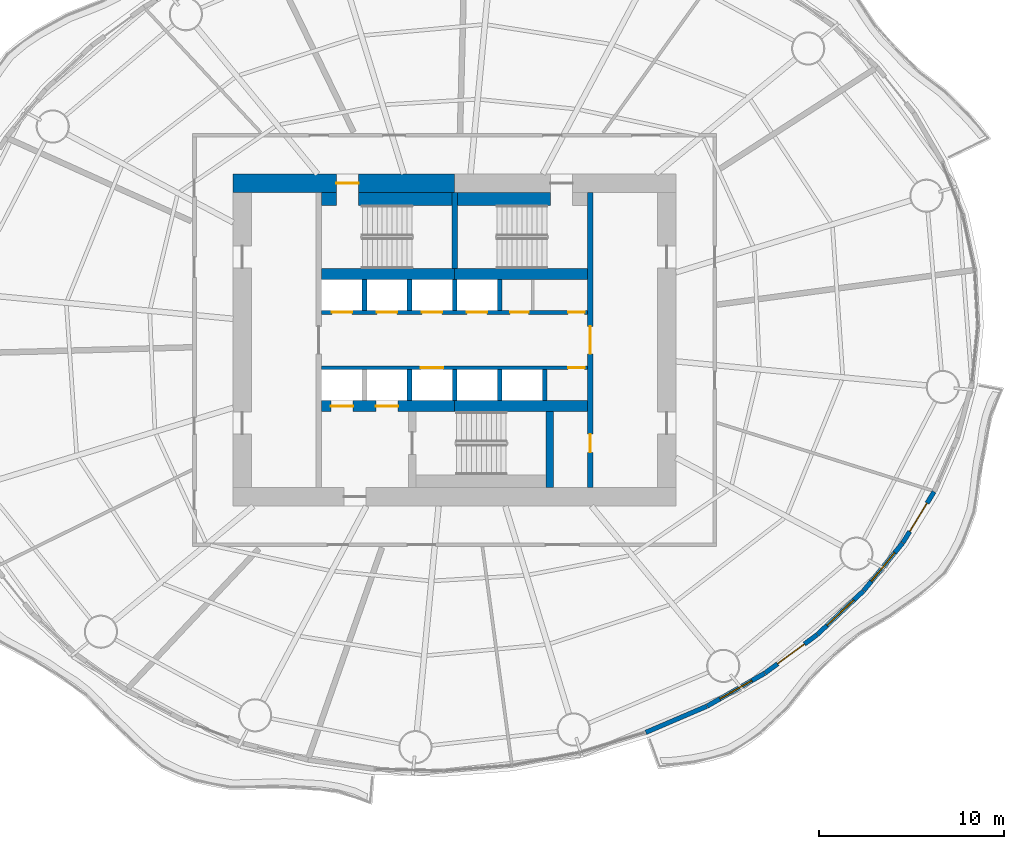
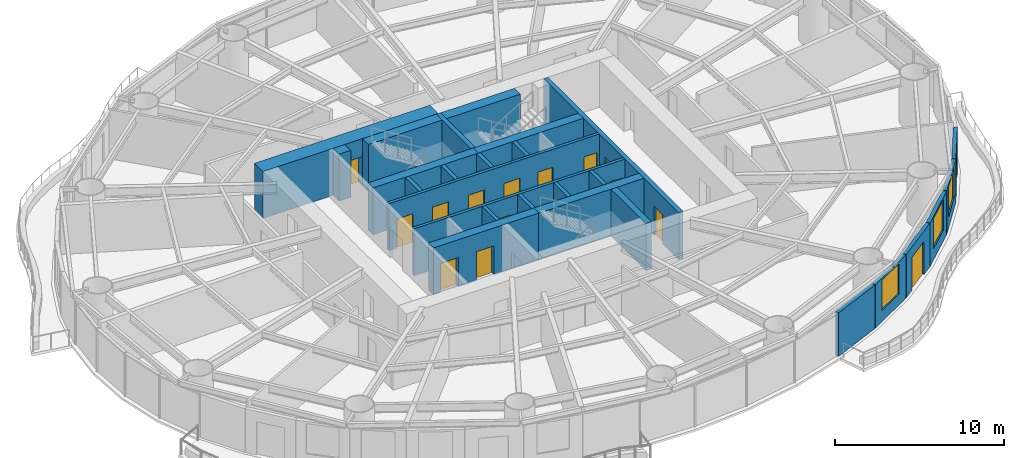
# One storey, part 9 of 16: 27 walls, 15 doors, 3 windows, 18 openings.
"""IFC4 building model written with IfcOpenShell, lengths in metres."""

from ifc_helpers import new_model, si_unit, direction, frame, frame_2d, origin, place, context, subcontext, project, spatial, rectangle, extrude, material, layer, layer_set, type_object, element, fill, save


model = new_model("IFC4")

# Units and contexts
model_context = context("Model", 3, precision=1e-05, world=origin(), true_north=direction((0.0, 1.0)))
body_context = subcontext(model_context, "Body", "Model", "MODEL_VIEW")
ifc_project = project(units=[si_unit("LENGTHUNIT", "METRE"), si_unit("AREAUNIT", "SQUARE_METRE"), si_unit("VOLUMEUNIT", "CUBIC_METRE"), si_unit("PLANEANGLEUNIT", "RADIAN"), si_unit("MASSUNIT", "GRAM", prefix="KILO")], contexts=[model_context])

# Site, building, storey
site_placement = place(None, origin())
site = spatial("IfcSite", under=ifc_project, at=site_placement, CompositionType="ELEMENT")
building_placement = place(site_placement, origin())
building = spatial("IfcBuilding", under=site, at=building_placement, Name="Vermilion Reach Broadcast Tower", CompositionType="ELEMENT")
storey_placement = place(building_placement, frame((0.0, 0.0, 65.60009765625)))
storey = spatial("IfcBuildingStorey", under=building, at=storey_placement, Name="L13", CompositionType="ELEMENT", Elevation=65.60009765625)

# Wall, openings, doors
ifc_material_1 = material(Name="Concrete C70", Category="concrete")
ifc_layer_1 = layer(ifc_material_1, 0.300048828125)
ifc_layer_set_1 = layer_set([ifc_layer_1], Name="Core inner wall 300 mm Concrete C70")
wall_type_1 = type_object("IfcWallType", Name="Core inner wall 300 mm Concrete C70", PredefinedType="SHEAR", material=ifc_layer_set_1)
wall_1_placement = place(storey_placement, frame((1.35009765625, -8.0, 0.0), z_axis=(0.0, 0.0, 1.0), x_axis=(0.0, 1.0, 0.0)))
wall_1 = element("IfcWall", 1, at=wall_1_placement, inside=storey, type_object=wall_type_1, Name="L13 core wall ewE", PredefinedType="SHEAR", context=body_context, shape_type="SweptSolid", body=[
    extrude(rectangle(XDim=16.0, YDim=0.300048828125, at=frame_2d((8.0, 0.0))), origin(), (0.0, 0.0, 1.0), 3.39990234375),
])
opening_1_placement = place(wall_1_placement, frame((1.909912109375, 0.0, 0.0)))
opening_1 = element("IfcOpeningElement", 2, at=opening_1_placement, cuts=wall_1, Name="Opening D05", PredefinedType="OPENING", context=body_context, shape_type="SweptSolid", body=[
    extrude(rectangle(XDim=1.0, YDim=2.10009765625, at=frame_2d((0.5, 1.050048828125))), frame((0.0, 0.159912109375, 0.0), z_axis=(0.0, -1.0, 0.0), x_axis=(1.0, 0.0, 0.0)), (0.0, 0.0, 1.0), 0.320068359375),
])
opening_2_placement = place(wall_1_placement, frame((7.25, 0.0, 0.0)))
opening_2 = element("IfcOpeningElement", 3, at=opening_2_placement, cuts=wall_1, Name="Opening D04", PredefinedType="OPENING", context=body_context, shape_type="SweptSolid", body=[
    extrude(rectangle(XDim=1.5, YDim=2.10009765625, at=frame_2d((0.75, 1.050048828125))), frame((0.0, 0.159912109375, 0.0), z_axis=(0.0, -1.0, 0.0), x_axis=(1.0, 0.0, 0.0)), (0.0, 0.0, 1.0), 0.320068359375),
])
ifc_material_2 = material(Name="Painted steel fire door", Category="steel")
door_type_1 = type_object("IfcDoorType", Name="Lift lobby door 1500 x 2100", OperationType="DOUBLE_DOOR_SINGLE_SWING", PredefinedType="NOTDEFINED", material=ifc_material_2)
door_1_placement = place(opening_2_placement, origin())
door_1 = element("IfcDoor", 4, at=door_1_placement, inside=storey, type_object=door_type_1, Name="L13 band door BE", OperationType="DOUBLE_DOOR_SINGLE_SWING", OverallHeight=2.10009765625, OverallWidth=1.5, PredefinedType="NOTDEFINED", context=body_context, shape_type="SweptSolid", body=[
    extrude(rectangle(XDim=1.5, YDim=2.10009765625, at=frame_2d((0.75, 1.050048828125))), frame((0.0, 0.02490234375, 0.0), z_axis=(0.0, -1.0, 0.0), x_axis=(1.0, 0.0, 0.0)), (0.0, 0.0, 1.0), 0.050048828125),
])
fill(opening_2, door_1)
ifc_material_3 = material(Name="Timber door", Category="wood")
door_type_2 = type_object("IfcDoorType", Name="Room door 1000 x 2100", OperationType="NOTDEFINED", PredefinedType="NOTDEFINED", material=ifc_material_3)
door_2_placement = place(opening_1_placement, origin())
door_2 = element("IfcDoor", 5, at=door_2_placement, inside=storey, type_object=door_type_2, Name="L13 door SER", OperationType="SINGLE_SWING_LEFT", OverallHeight=2.10009765625, OverallWidth=1.0, PredefinedType="NOTDEFINED", context=body_context, shape_type="SweptSolid", body=[
    extrude(rectangle(XDim=1.0, YDim=2.10009765625, at=frame_2d((0.5, 1.050048828125))), frame((0.0, 0.02490234375, 0.0), z_axis=(0.0, -1.0, 0.0), x_axis=(1.0, 0.0, 0.0)), (0.0, 0.0, 1.0), 0.050048828125),
])
fill(opening_1, door_2)

# Walls
wall_2_placement = place(storey_placement, frame((-6.0, 3.8798828125, 0.0), z_axis=(0.0, 0.0, 1.0), x_axis=(0.0, 1.0, 0.0)))
element("IfcWall", 6, at=wall_2_placement, inside=storey, type_object=wall_type_1, Name="L13 core wall wc", PredefinedType="SHEAR", context=body_context, shape_type="SweptSolid", body=[
    extrude(rectangle(XDim=4.1201171875, YDim=0.300048828125, at=frame_2d((2.06005859375, 0.0))), origin(), (0.0, 0.0, 1.0), 3.39990234375),
])
ifc_material_4 = material(Name="Concrete C70", Category="concrete")
ifc_layer_2 = layer(ifc_material_4, 0.39990234375)
ifc_layer_set_2 = layer_set([ifc_layer_2], Name="Core inner wall 400 mm Concrete C70")
wall_type_2 = type_object("IfcWallType", Name="Core inner wall 400 mm Concrete C70", PredefinedType="SHEAR", material=ifc_layer_set_2)
wall_3_placement = place(storey_placement, frame((-0.85009765625, -3.8798828125, 0.0), z_axis=(0.0, 0.0, 1.0), x_axis=(0.0, -1.0, 0.0)))
element("IfcWall", 7, at=wall_3_placement, inside=storey, type_object=wall_type_2, Name="L13 core wall wb", PredefinedType="SHEAR", context=body_context, shape_type="SweptSolid", body=[
    extrude(rectangle(XDim=4.1201171875, YDim=0.39990234375, at=frame_2d((2.06005859375, 0.0))), origin(), (0.0, 0.0, 1.0), 3.39990234375),
])
ifc_material_5 = material(Name="Concrete C70", Category="concrete")
ifc_layer_3 = layer(ifc_material_5, 0.60009765625)
ifc_layer_set_3 = layer_set([ifc_layer_3], Name="Core inner wall 600 mm Concrete C70")
wall_type_3 = type_object("IfcWallType", Name="Core inner wall 600 mm Concrete C70", PredefinedType="SHEAR", material=ifc_layer_set_3)
for number, where, z_axis, x_axis, name in (
    (8, (-13.199951171875, 3.580078125, 0.0), (0.0, 0.0, 1.0), (1.0, 0.0, 0.0), "L13 core wall winW"),
    (9, (-6.0, 3.580078125, 0.0), (0.0, 0.0, 1.0), (1.0, 0.0, 0.0), "L13 core wall winE"),
):
    element("IfcWall", number, at=place(storey_placement, frame(where, z_axis=z_axis, x_axis=x_axis)), inside=storey, type_object=wall_type_3, Name=name, PredefinedType="SHEAR", context=body_context, shape_type="SweptSolid", body=[
        extrude(rectangle(XDim=7.199951171875, YDim=0.60009765625, at=frame_2d((3.60009765625, 0.0))), origin(), (0.0, 0.0, 1.0), 3.39990234375),
    ])

# Wall, openings, doors
wall_4_placement = place(storey_placement, frame((-13.199951171875, -3.580078125, 0.0), z_axis=(0.0, 0.0, 1.0), x_axis=(1.0, 0.0, 0.0)))
wall_4 = element("IfcWall", 10, at=wall_4_placement, inside=storey, type_object=wall_type_3, Name="L13 core wall wisW", PredefinedType="SHEAR", context=body_context, shape_type="SweptSolid", body=[
    extrude(rectangle(XDim=7.199951171875, YDim=0.60009765625, at=frame_2d((3.60009765625, 0.0))), origin(), (0.0, 0.0, 1.0), 3.39990234375),
])
opening_3_placement = place(wall_4_placement, frame((0.495849609375, 0.0, 0.0)))
opening_3 = element("IfcOpeningElement", 11, at=opening_3_placement, cuts=wall_4, Name="Opening LD1", PredefinedType="OPENING", context=body_context, shape_type="SweptSolid", body=[
    extrude(rectangle(XDim=1.199951171875, YDim=2.10009765625, at=frame_2d((0.60009765625, 1.050048828125))), frame((0.0, 0.31005859375, 0.0), z_axis=(0.0, -1.0, 0.0), x_axis=(1.0, 0.0, 0.0)), (0.0, 0.0, 1.0), 0.6201171875),
])
opening_4_placement = place(wall_4_placement, frame((2.9375, 0.0, 0.0)))
opening_4 = element("IfcOpeningElement", 12, at=opening_4_placement, cuts=wall_4, Name="Opening LD1", PredefinedType="OPENING", context=body_context, shape_type="SweptSolid", body=[
    extrude(rectangle(XDim=1.199951171875, YDim=2.10009765625, at=frame_2d((0.60009765625, 1.050048828125))), frame((0.0, 0.31005859375, 0.0), z_axis=(0.0, -1.0, 0.0), x_axis=(1.0, 0.0, 0.0)), (0.0, 0.0, 1.0), 0.6201171875),
])
ifc_material_6 = material(Name="Stainless steel", Category="steel")
door_type_3 = type_object("IfcDoorType", Name="Landing door 1200 x 2100", OperationType="DOUBLE_DOOR_SLIDING", PredefinedType="NOTDEFINED", material=ifc_material_6)
door_3_placement = place(opening_3_placement, origin())
door_3 = element("IfcDoor", 13, at=door_3_placement, inside=storey, type_object=door_type_3, Name="L13 landing door FF1", OperationType="DOUBLE_DOOR_SLIDING", OverallHeight=2.10009765625, OverallWidth=1.199951171875, PredefinedType="NOTDEFINED", context=body_context, shape_type="SweptSolid", body=[
    extrude(rectangle(XDim=1.199951171875, YDim=2.10009765625, at=frame_2d((0.60009765625, 1.050048828125))), frame((0.0, 0.02490234375, 0.0), z_axis=(0.0, -1.0, 0.0), x_axis=(1.0, 0.0, 0.0)), (0.0, 0.0, 1.0), 0.050048828125),
])
fill(opening_3, door_3)
door_4_placement = place(opening_4_placement, origin())
door_4 = element("IfcDoor", 14, at=door_4_placement, inside=storey, type_object=door_type_3, Name="L13 landing door FF2", OperationType="DOUBLE_DOOR_SLIDING", OverallHeight=2.10009765625, OverallWidth=1.199951171875, PredefinedType="NOTDEFINED", context=body_context, shape_type="SweptSolid", body=[
    extrude(rectangle(XDim=1.199951171875, YDim=2.10009765625, at=frame_2d((0.60009765625, 1.050048828125))), frame((0.0, 0.02490234375, 0.0), z_axis=(0.0, -1.0, 0.0), x_axis=(1.0, 0.0, 0.0)), (0.0, 0.0, 1.0), 0.050048828125),
])
fill(opening_4, door_4)

# Wall
wall_5_placement = place(storey_placement, frame((-6.0, -3.580078125, 0.0), z_axis=(0.0, 0.0, 1.0), x_axis=(1.0, 0.0, 0.0)))
element("IfcWall", 15, at=wall_5_placement, inside=storey, type_object=wall_type_3, Name="L13 core wall wisE", PredefinedType="SHEAR", context=body_context, shape_type="SweptSolid", body=[
    extrude(rectangle(XDim=7.199951171875, YDim=0.60009765625, at=frame_2d((3.60009765625, 0.0))), origin(), (0.0, 0.0, 1.0), 3.39990234375),
])

# Wall, opening, door
ifc_material_7 = material(Name="Concrete C70", Category="concrete")
ifc_layer_4 = layer(ifc_material_7, 1.0)
ifc_layer_set_4 = layer_set([ifc_layer_4], Name="Core outer wall 1000 mm Concrete C70")
wall_type_4 = type_object("IfcWallType", Name="Core outer wall 1000 mm Concrete C70", PredefinedType="SHEAR", material=ifc_layer_set_4)
wall_6_placement = place(storey_placement, frame((-6.0, 8.5, 0.0), z_axis=(0.0, 0.0, 1.0), x_axis=(-1.0, 0.0, 0.0)))
wall_6 = element("IfcWall", 16, at=wall_6_placement, inside=storey, type_object=wall_type_4, Name="L13 core wall onW", PredefinedType="SHEAR", context=body_context, shape_type="SweptSolid", body=[
    extrude(rectangle(XDim=12.0, YDim=1.0, at=frame_2d((6.0, 0.0))), origin(), (0.0, 0.0, 1.0), 3.39990234375),
])
opening_5_placement = place(wall_6_placement, frame((5.199951171875, 0.0, 0.0)))
opening_5 = element("IfcOpeningElement", 17, at=opening_5_placement, cuts=wall_6, Name="Opening D01", PredefinedType="OPENING", context=body_context, shape_type="SweptSolid", body=[
    extrude(rectangle(XDim=1.199951171875, YDim=2.10009765625, at=frame_2d((0.60009765625, 1.050048828125))), frame((0.0, 0.510009765625, 0.0), z_axis=(0.0, -1.0, 0.0), x_axis=(1.0, 0.0, 0.0)), (0.0, 0.0, 1.0), 1.02001953125),
])
ifc_material_8 = material(Name="Painted steel fire door", Category="steel")
door_type_4 = type_object("IfcDoorType", Name="Stair door 1200 x 2100", OperationType="DOUBLE_DOOR_SINGLE_SWING", PredefinedType="NOTDEFINED", material=ifc_material_8)
door_5_placement = place(opening_5_placement, origin())
door_5 = element("IfcDoor", 18, at=door_5_placement, inside=storey, type_object=door_type_4, Name="L13 stair door ST1", OperationType="DOUBLE_DOOR_SINGLE_SWING", OverallHeight=2.10009765625, OverallWidth=1.199951171875, PredefinedType="NOTDEFINED", context=body_context, shape_type="SweptSolid", body=[
    extrude(rectangle(XDim=1.199951171875, YDim=2.10009765625, at=frame_2d((0.60009765625, 1.050048828125))), frame((0.0, 0.02490234375, 0.0), z_axis=(0.0, -1.0, 0.0), x_axis=(1.0, 0.0, 0.0)), (0.0, 0.0, 1.0), 0.050048828125),
])
fill(opening_5, door_5)

# Wall, openings, doors
ifc_material_9 = material(Name="Concrete C50", Category="concrete")
ifc_layer_5 = layer(ifc_material_9, 0.199951171875)
ifc_layer_set_5 = layer_set([ifc_layer_5], Name="Core shaft wall 200 mm Concrete C50")
wall_type_5 = type_object("IfcWallType", Name="Core shaft wall 200 mm Concrete C50", PredefinedType="SHEAR", material=ifc_layer_set_5)
wall_7_placement = place(storey_placement, frame((-13.199951171875, 1.5, 0.0), z_axis=(0.0, 0.0, 1.0), x_axis=(1.0, 0.0, 0.0)))
wall_7 = element("IfcWall", 19, at=wall_7_placement, inside=storey, type_object=wall_type_5, Name="L13 core wall fn", PredefinedType="SHEAR", context=body_context, shape_type="SweptSolid", body=[
    extrude(rectangle(XDim=14.39990234375, YDim=0.199951171875, at=frame_2d((7.199951171875, 0.0))), origin(), (0.0, 0.0, 1.0), 3.39990234375),
])
opening_6_placement = place(wall_7_placement, frame((0.5458984375, 0.0, 0.0)))
opening_6 = element("IfcOpeningElement", 20, at=opening_6_placement, cuts=wall_7, Name="Opening LD2", PredefinedType="OPENING", context=body_context, shape_type="SweptSolid", body=[
    extrude(rectangle(XDim=1.10009765625, YDim=2.10009765625, at=frame_2d((0.550048828125, 1.050048828125))), frame((0.0, 0.10986328125, 0.0), z_axis=(0.0, -1.0, 0.0), x_axis=(1.0, 0.0, 0.0)), (0.0, 0.0, 1.0), 0.219970703125),
])
opening_7_placement = place(wall_7_placement, frame((2.987548828125, 0.0, 0.0)))
opening_7 = element("IfcOpeningElement", 21, at=opening_7_placement, cuts=wall_7, Name="Opening LD2", PredefinedType="OPENING", context=body_context, shape_type="SweptSolid", body=[
    extrude(rectangle(XDim=1.10009765625, YDim=2.10009765625, at=frame_2d((0.550048828125, 1.050048828125))), frame((0.0, 0.10986328125, 0.0), z_axis=(0.0, -1.0, 0.0), x_axis=(1.0, 0.0, 0.0)), (0.0, 0.0, 1.0), 0.219970703125),
])
opening_8_placement = place(wall_7_placement, frame((5.42919921875, 0.0, 0.0)))
opening_8 = element("IfcOpeningElement", 22, at=opening_8_placement, cuts=wall_7, Name="Opening LD2", PredefinedType="OPENING", context=body_context, shape_type="SweptSolid", body=[
    extrude(rectangle(XDim=1.10009765625, YDim=2.10009765625, at=frame_2d((0.550048828125, 1.050048828125))), frame((0.0, 0.10986328125, 0.0), z_axis=(0.0, -1.0, 0.0), x_axis=(1.0, 0.0, 0.0)), (0.0, 0.0, 1.0), 0.219970703125),
])
opening_9_placement = place(wall_7_placement, frame((7.870849609375, 0.0, 0.0)))
opening_9 = element("IfcOpeningElement", 23, at=opening_9_placement, cuts=wall_7, Name="Opening LD2", PredefinedType="OPENING", context=body_context, shape_type="SweptSolid", body=[
    extrude(rectangle(XDim=1.10009765625, YDim=2.10009765625, at=frame_2d((0.550048828125, 1.050048828125))), frame((0.0, 0.10986328125, 0.0), z_axis=(0.0, -1.0, 0.0), x_axis=(1.0, 0.0, 0.0)), (0.0, 0.0, 1.0), 0.219970703125),
])
opening_10_placement = place(wall_7_placement, frame((10.209716796875, 0.0, 0.0)))
opening_10 = element("IfcOpeningElement", 24, at=opening_10_placement, cuts=wall_7, Name="Opening D07", PredefinedType="OPENING", context=body_context, shape_type="SweptSolid", body=[
    extrude(rectangle(XDim=1.0, YDim=2.10009765625, at=frame_2d((0.5, 1.050048828125))), frame((0.0, 0.10986328125, 0.0), z_axis=(0.0, -1.0, 0.0), x_axis=(1.0, 0.0, 0.0)), (0.0, 0.0, 1.0), 0.219970703125),
])
opening_11_placement = place(wall_7_placement, frame((13.35009765625, 0.0, 0.0)))
opening_11 = element("IfcOpeningElement", 25, at=opening_11_placement, cuts=wall_7, Name="Opening D06", PredefinedType="OPENING", context=body_context, shape_type="SweptSolid", body=[
    extrude(rectangle(XDim=0.89990234375, YDim=2.10009765625, at=frame_2d((0.449951171875, 1.050048828125))), frame((0.0, 0.10986328125, 0.0), z_axis=(0.0, -1.0, 0.0), x_axis=(1.0, 0.0, 0.0)), (0.0, 0.0, 1.0), 0.219970703125),
])
ifc_material_10 = material(Name="Timber door", Category="wood")
door_type_5 = type_object("IfcDoorType", Name="Accessible WC door 1000 x 2100", OperationType="NOTDEFINED", PredefinedType="NOTDEFINED", material=ifc_material_10)
door_6_placement = place(opening_10_placement, origin())
door_6 = element("IfcDoor", 26, at=door_6_placement, inside=storey, type_object=door_type_5, Name="L13 door Accessible WC", OperationType="SINGLE_SWING_RIGHT", OverallHeight=2.10009765625, OverallWidth=1.0, PredefinedType="NOTDEFINED", context=body_context, shape_type="SweptSolid", body=[
    extrude(rectangle(XDim=1.0, YDim=2.10009765625, at=frame_2d((0.5, 1.050048828125))), frame((0.0, 0.02490234375, 0.0), z_axis=(0.0, -1.0, 0.0), x_axis=(1.0, 0.0, 0.0)), (0.0, 0.0, 1.0), 0.050048828125),
])
fill(opening_10, door_6)
ifc_material_11 = material(Name="Stainless steel", Category="steel")
door_type_6 = type_object("IfcDoorType", Name="Landing door 1100 x 2100", OperationType="DOUBLE_DOOR_SLIDING", PredefinedType="NOTDEFINED", material=ifc_material_11)
door_7_placement = place(opening_6_placement, origin())
door_7 = element("IfcDoor", 27, at=door_7_placement, inside=storey, type_object=door_type_6, Name="L13 landing door LR1", OperationType="DOUBLE_DOOR_SLIDING", OverallHeight=2.10009765625, OverallWidth=1.10009765625, PredefinedType="NOTDEFINED", context=body_context, shape_type="SweptSolid", body=[
    extrude(rectangle(XDim=1.10009765625, YDim=2.10009765625, at=frame_2d((0.550048828125, 1.050048828125))), frame((0.0, 0.02490234375, 0.0), z_axis=(0.0, -1.0, 0.0), x_axis=(1.0, 0.0, 0.0)), (0.0, 0.0, 1.0), 0.050048828125),
])
fill(opening_6, door_7)
door_8_placement = place(opening_7_placement, origin())
door_8 = element("IfcDoor", 28, at=door_8_placement, inside=storey, type_object=door_type_6, Name="L13 landing door LR2", OperationType="DOUBLE_DOOR_SLIDING", OverallHeight=2.10009765625, OverallWidth=1.10009765625, PredefinedType="NOTDEFINED", context=body_context, shape_type="SweptSolid", body=[
    extrude(rectangle(XDim=1.10009765625, YDim=2.10009765625, at=frame_2d((0.550048828125, 1.050048828125))), frame((0.0, 0.02490234375, 0.0), z_axis=(0.0, -1.0, 0.0), x_axis=(1.0, 0.0, 0.0)), (0.0, 0.0, 1.0), 0.050048828125),
])
fill(opening_7, door_8)
door_9_placement = place(opening_8_placement, origin())
door_9 = element("IfcDoor", 29, at=door_9_placement, inside=storey, type_object=door_type_6, Name="L13 landing door LR3", OperationType="DOUBLE_DOOR_SLIDING", OverallHeight=2.10009765625, OverallWidth=1.10009765625, PredefinedType="NOTDEFINED", context=body_context, shape_type="SweptSolid", body=[
    extrude(rectangle(XDim=1.10009765625, YDim=2.10009765625, at=frame_2d((0.550048828125, 1.050048828125))), frame((0.0, 0.02490234375, 0.0), z_axis=(0.0, -1.0, 0.0), x_axis=(1.0, 0.0, 0.0)), (0.0, 0.0, 1.0), 0.050048828125),
])
fill(opening_8, door_9)
door_10_placement = place(opening_9_placement, origin())
door_10 = element("IfcDoor", 30, at=door_10_placement, inside=storey, type_object=door_type_6, Name="L13 landing door LR4", OperationType="DOUBLE_DOOR_SLIDING", OverallHeight=2.10009765625, OverallWidth=1.10009765625, PredefinedType="NOTDEFINED", context=body_context, shape_type="SweptSolid", body=[
    extrude(rectangle(XDim=1.10009765625, YDim=2.10009765625, at=frame_2d((0.550048828125, 1.050048828125))), frame((0.0, 0.02490234375, 0.0), z_axis=(0.0, -1.0, 0.0), x_axis=(1.0, 0.0, 0.0)), (0.0, 0.0, 1.0), 0.050048828125),
])
fill(opening_9, door_10)
ifc_material_12 = material(Name="Timber door", Category="wood")
door_type_7 = type_object("IfcDoorType", Name="WC door 900 x 2100", OperationType="NOTDEFINED", PredefinedType="NOTDEFINED", material=ifc_material_12)
door_11_placement = place(opening_11_placement, origin())
door_11 = element("IfcDoor", 31, at=door_11_placement, inside=storey, type_object=door_type_7, Name="L13 door Female WC", OperationType="SINGLE_SWING_RIGHT", OverallHeight=2.10009765625, OverallWidth=0.89990234375, PredefinedType="NOTDEFINED", context=body_context, shape_type="SweptSolid", body=[
    extrude(rectangle(XDim=0.89990234375, YDim=2.10009765625, at=frame_2d((0.449951171875, 1.050048828125))), frame((0.0, 0.02490234375, 0.0), z_axis=(0.0, -1.0, 0.0), x_axis=(1.0, 0.0, 0.0)), (0.0, 0.0, 1.0), 0.050048828125),
])
fill(opening_11, door_11)

wall_8_placement = place(storey_placement, frame((1.199951171875, -1.5, 0.0), z_axis=(0.0, 0.0, 1.0), x_axis=(-1.0, 0.0, 0.0)))
wall_8 = element("IfcWall", 32, at=wall_8_placement, inside=storey, type_object=wall_type_5, Name="L13 core wall fs", PredefinedType="SHEAR", context=body_context, shape_type="SweptSolid", body=[
    extrude(rectangle(XDim=14.39990234375, YDim=0.199951171875, at=frame_2d((7.199951171875, 0.0))), origin(), (0.0, 0.0, 1.0), 3.39990234375),
])
opening_12_placement = place(wall_8_placement, frame((7.82080078125, 0.0, 0.0)))
opening_12 = element("IfcOpeningElement", 33, at=opening_12_placement, cuts=wall_8, Name="Opening LD1", PredefinedType="OPENING", context=body_context, shape_type="SweptSolid", body=[
    extrude(rectangle(XDim=1.199951171875, YDim=2.10009765625, at=frame_2d((0.60009765625, 1.050048828125))), frame((0.0, 0.10986328125, 0.0), z_axis=(0.0, -1.0, 0.0), x_axis=(1.0, 0.0, 0.0)), (0.0, 0.0, 1.0), 0.219970703125),
])
opening_13_placement = place(wall_8_placement, frame((0.14990234375, 0.0, 0.0)))
opening_13 = element("IfcOpeningElement", 34, at=opening_13_placement, cuts=wall_8, Name="Opening D06", PredefinedType="OPENING", context=body_context, shape_type="SweptSolid", body=[
    extrude(rectangle(XDim=0.89990234375, YDim=2.10009765625, at=frame_2d((0.449951171875, 1.050048828125))), frame((0.0, 0.10986328125, 0.0), z_axis=(0.0, -1.0, 0.0), x_axis=(1.0, 0.0, 0.0)), (0.0, 0.0, 1.0), 0.219970703125),
])
door_12_placement = place(opening_12_placement, origin())
door_12 = element("IfcDoor", 35, at=door_12_placement, inside=storey, type_object=door_type_3, Name="L13 landing door SV1", OperationType="DOUBLE_DOOR_SLIDING", OverallHeight=2.10009765625, OverallWidth=1.199951171875, PredefinedType="NOTDEFINED", context=body_context, shape_type="SweptSolid", body=[
    extrude(rectangle(XDim=1.199951171875, YDim=2.10009765625, at=frame_2d((0.60009765625, 1.050048828125))), frame((0.0, 0.02490234375, 0.0), z_axis=(0.0, -1.0, 0.0), x_axis=(1.0, 0.0, 0.0)), (0.0, 0.0, 1.0), 0.050048828125),
])
fill(opening_12, door_12)
door_13_placement = place(opening_13_placement, origin())
door_13 = element("IfcDoor", 36, at=door_13_placement, inside=storey, type_object=door_type_7, Name="L13 door Male WC", OperationType="SINGLE_SWING_LEFT", OverallHeight=2.10009765625, OverallWidth=0.89990234375, PredefinedType="NOTDEFINED", context=body_context, shape_type="SweptSolid", body=[
    extrude(rectangle(XDim=0.89990234375, YDim=2.10009765625, at=frame_2d((0.449951171875, 1.050048828125))), frame((0.0, 0.02490234375, 0.0), z_axis=(0.0, -1.0, 0.0), x_axis=(1.0, 0.0, 0.0)), (0.0, 0.0, 1.0), 0.050048828125),
])
fill(opening_13, door_13)

# Walls
ifc_material_13 = material(Name="Concrete C50", Category="concrete")
ifc_layer_6 = layer(ifc_material_13, 0.25)
ifc_layer_set_6 = layer_set([ifc_layer_6], Name="Core shaft wall 250 mm Concrete C50")
wall_type_6 = type_object("IfcWallType", Name="Core shaft wall 250 mm Concrete C50", PredefinedType="SHEAR", material=ifc_layer_set_6)
for number, where, z_axis, x_axis, name in (
    (37, (-10.88330078125, 1.60009765625, 0.0), (0.0, 0.0, 1.0), (0.0, 1.0, 0.0), "L13 core wall psN0"),
    (38, (-8.441650390625, 1.60009765625, 0.0), (0.0, 0.0, 1.0), (0.0, 1.0, 0.0), "L13 core wall psN1"),
    (39, (-6.0, 1.60009765625, 0.0), (0.0, 0.0, 1.0), (0.0, 1.0, 0.0), "L13 core wall psN2"),
    (40, (-3.558349609375, 1.60009765625, 0.0), (0.0, 0.0, 1.0), (0.0, 1.0, 0.0), "L13 core wall psN3"),
    (41, (-8.441650390625, -1.60009765625, 0.0), (0.0, 0.0, 1.0), (0.0, -1.0, 0.0), "L13 core wall psS1"),
    (42, (-6.0, -1.60009765625, 0.0), (0.0, 0.0, 1.0), (0.0, -1.0, 0.0), "L13 core wall psS2"),
    (43, (-3.558349609375, -1.60009765625, 0.0), (0.0, 0.0, 1.0), (0.0, -1.0, 0.0), "L13 core wall psS3"),
    (44, (-1.11669921875, -1.60009765625, 0.0), (0.0, 0.0, 1.0), (0.0, -1.0, 0.0), "L13 core wall psS4"),
):
    element("IfcWall", number, at=place(storey_placement, frame(where, z_axis=z_axis, x_axis=x_axis)), inside=storey, type_object=wall_type_6, Name=name, PredefinedType="SHEAR", context=body_context, shape_type="SweptSolid", body=[
        extrude(rectangle(XDim=1.679931640625, YDim=0.25, at=frame_2d((0.83984375, 0.0))), origin(), (0.0, 0.0, 1.0), 3.39990234375),
    ])
ifc_material_14 = material(Name="Concrete C70", Category="concrete")
ifc_layer_7 = layer(ifc_material_14, 0.699951171875)
ifc_layer_set_7 = layer_set([ifc_layer_7], Name="Core stair wall 700 mm Concrete C70")
wall_type_7 = type_object("IfcWallType", Name="Core stair wall 700 mm Concrete C70", PredefinedType="SHEAR", material=ifc_layer_set_7)
wall_9_placement = place(storey_placement, frame((-13.199951171875, 7.64990234375, 0.0), z_axis=(0.0, 0.0, 1.0), x_axis=(1.0, 0.0, 0.0)))
element("IfcWall", 45, at=wall_9_placement, inside=storey, type_object=wall_type_7, Name="L13 core wall l1a", PredefinedType="SHEAR", context=body_context, shape_type="SweptSolid", body=[
    extrude(rectangle(XDim=0.800048828125, YDim=0.699951171875, at=frame_2d((0.39990234375, 0.0))), origin(), (0.0, 0.0, 1.0), 3.39990234375),
])
for number, where, z_axis, x_axis, name in (
    (46, (-11.199951171875, 7.64990234375, 0.0), (0.0, 0.0, 1.0), (1.0, 0.0, 0.0), "L13 core wall l1b"),
    (47, (-5.85009765625, 7.64990234375, 0.0), (0.0, 0.0, 1.0), (1.0, 0.0, 0.0), "L13 core wall l2a"),
):
    element("IfcWall", number, at=place(storey_placement, frame(where, z_axis=z_axis, x_axis=x_axis)), inside=storey, type_object=wall_type_7, Name=name, PredefinedType="SHEAR", context=body_context, shape_type="SweptSolid", body=[
        extrude(rectangle(XDim=5.050048828125, YDim=0.699951171875, at=frame_2d((2.52490234375, 0.0))), origin(), (0.0, 0.0, 1.0), 3.39990234375),
    ])
ifc_material_15 = material(Name="Terracotta rainscreen cladding", Category="masonry")
ifc_layer_8 = layer(ifc_material_15, 0.25)
ifc_layer_set_8 = layer_set([ifc_layer_8], Name="Terracotta rainscreen wall 250")
wall_type_8 = type_object("IfcWallType", Name="Terracotta rainscreen wall 250", PredefinedType="SOLIDWALL", material=ifc_layer_set_8)
wall_10_placement = place(storey_placement, frame((4.36767578125, -21.263916015625, 0.0), z_axis=(0.0, 0.0, 1.0), x_axis=(0.918983536415, 0.394295903857, 0.0)))
element("IfcWall", 48, at=wall_10_placement, inside=storey, type_object=wall_type_8, Name="External wall L13 38", PredefinedType="SOLIDWALL", context=body_context, shape_type="SweptSolid", body=[
    extrude(rectangle(XDim=3.5986328125, YDim=0.25, at=frame_2d((1.79931640625, 0.0))), origin(), (0.0, 0.0, 1.0), 3.14990234375),
])

# Wall, opening, window
wall_11_placement = place(storey_placement, frame((7.694580078125, -19.835205078125, 0.0), z_axis=(0.0, 0.0, 1.0), x_axis=(0.868745900063, 0.495258075273, 0.0)))
wall_11 = element("IfcWall", 49, at=wall_11_placement, inside=storey, type_object=wall_type_8, Name="External wall L13 39", PredefinedType="SOLIDWALL", context=body_context, shape_type="SweptSolid", body=[
    extrude(rectangle(XDim=3.582763671875, YDim=0.25, at=frame_2d((1.79150390625, 0.0))), origin(), (0.0, 0.0, 1.0), 3.14990234375),
])
opening_14_placement = place(wall_11_placement, frame((0.791259765625, 0.0, 0.800048828125)))
opening_14 = element("IfcOpeningElement", 50, at=opening_14_placement, cuts=wall_11, Name="Opening W01", PredefinedType="OPENING", context=body_context, shape_type="SweptSolid", body=[
    extrude(rectangle(XDim=2.0, YDim=2.199951171875, at=frame_2d((1.0, 1.10009765625))), frame((0.0, 0.135009765625, 0.0), z_axis=(0.0, -1.0, 0.0), x_axis=(1.0, 0.0, 0.0)), (0.0, 0.0, 1.0), 0.27001953125),
])
ifc_material_16 = material(Name="Low-e laminated clear glass in aluminium frame", Category="aluminium")
window_type = type_object("IfcWindowType", Name="Punched window 2000 x 2200 sill 800", PartitioningType="SINGLE_PANEL", PredefinedType="WINDOW", material=ifc_material_16)
window_1_placement = place(opening_14_placement, origin())
window_1 = element("IfcWindow", 51, at=window_1_placement, inside=storey, type_object=window_type, Name="Window L13 39", OverallHeight=2.199951171875, OverallWidth=2.0, PartitioningType="SINGLE_PANEL", PredefinedType="WINDOW", context=body_context, shape_type="SweptSolid", body=[
    extrude(rectangle(XDim=2.0, YDim=2.199951171875, at=frame_2d((1.0, 1.10009765625))), frame((0.0, 0.030029296875, 0.0), z_axis=(0.0, -1.0, 0.0), x_axis=(1.0, 0.0, 0.0)), (0.0, 0.0, 1.0), 0.06005859375),
])
fill(opening_14, window_1)

# Wall, opening, door
wall_12_placement = place(storey_placement, frame((10.826171875, -18.048583984375, 0.0), z_axis=(0.0, 0.0, 1.0), x_axis=(0.805090824586, 0.593151552444, 0.0)))
wall_12 = element("IfcWall", 52, at=wall_12_placement, inside=storey, type_object=wall_type_8, Name="External wall L13 40", PredefinedType="SOLIDWALL", context=body_context, shape_type="SweptSolid", body=[
    extrude(rectangle(XDim=3.507568359375, YDim=0.25, at=frame_2d((1.75390625, 0.0))), origin(), (0.0, 0.0, 1.0), 3.14990234375),
])
opening_15_placement = place(wall_12_placement, frame((0.85400390625, 0.0, 0.0)))
opening_15 = element("IfcOpeningElement", 53, at=opening_15_placement, cuts=wall_12, Name="Opening D70", PredefinedType="OPENING", context=body_context, shape_type="SweptSolid", body=[
    extrude(rectangle(XDim=1.800048828125, YDim=2.39990234375, at=frame_2d((0.89990234375, 1.199951171875))), frame((0.0, 0.135009765625, 0.0), z_axis=(0.0, -1.0, 0.0), x_axis=(1.0, 0.0, 0.0)), (0.0, 0.0, 1.0), 0.27001953125),
])
ifc_material_17 = material(Name="Low-e laminated clear glass in aluminium frame", Category="aluminium")
door_type_8 = type_object("IfcDoorType", Name="Balcony sliding door 1800 x 2400", OperationType="DOUBLE_DOOR_SLIDING", PredefinedType="DOOR", material=ifc_material_17)
door_14_placement = place(opening_15_placement, origin())
door_14 = element("IfcDoor", 54, at=door_14_placement, inside=storey, type_object=door_type_8, Name="Balcony door L13 run 10", OperationType="DOUBLE_DOOR_SLIDING", OverallHeight=2.39990234375, OverallWidth=1.800048828125, PredefinedType="DOOR", context=body_context, shape_type="SweptSolid", body=[
    extrude(rectangle(XDim=1.800048828125, YDim=2.39990234375, at=frame_2d((0.89990234375, 1.199951171875))), frame((0.0, 0.02490234375, 0.0), z_axis=(0.0, -1.0, 0.0), x_axis=(1.0, 0.0, 0.0)), (0.0, 0.0, 1.0), 0.050048828125),
])
fill(opening_15, door_14)

# Wall, opening, window
wall_13_placement = place(storey_placement, frame((13.66796875, -15.952880859375, 0.0), z_axis=(0.0, 0.0, 1.0), x_axis=(0.726835063379, 0.686812048994, 0.0)))
wall_13 = element("IfcWall", 55, at=wall_13_placement, inside=storey, type_object=wall_type_8, Name="External wall L13 41", PredefinedType="SOLIDWALL", context=body_context, shape_type="SweptSolid", body=[
    extrude(rectangle(XDim=3.422119140625, YDim=0.25, at=frame_2d((1.7109375, 0.0))), origin(), (0.0, 0.0, 1.0), 3.14990234375),
])
opening_16_placement = place(wall_13_placement, frame((0.711181640625, 0.0, 0.800048828125)))
opening_16 = element("IfcOpeningElement", 56, at=opening_16_placement, cuts=wall_13, Name="Opening W01", PredefinedType="OPENING", context=body_context, shape_type="SweptSolid", body=[
    extrude(rectangle(XDim=2.0, YDim=2.199951171875, at=frame_2d((1.0, 1.10009765625))), frame((0.0, 0.135009765625, 0.0), z_axis=(0.0, -1.0, 0.0), x_axis=(1.0, 0.0, 0.0)), (0.0, 0.0, 1.0), 0.27001953125),
])
window_2_placement = place(opening_16_placement, origin())
window_2 = element("IfcWindow", 57, at=window_2_placement, inside=storey, type_object=window_type, Name="Window L13 41", OverallHeight=2.199951171875, OverallWidth=2.0, PartitioningType="SINGLE_PANEL", PredefinedType="WINDOW", context=body_context, shape_type="SweptSolid", body=[
    extrude(rectangle(XDim=2.0, YDim=2.199951171875, at=frame_2d((1.0, 1.10009765625))), frame((0.0, 0.030029296875, 0.0), z_axis=(0.0, -1.0, 0.0), x_axis=(1.0, 0.0, 0.0)), (0.0, 0.0, 1.0), 0.06005859375),
])
fill(opening_16, window_2)

wall_14_placement = place(storey_placement, frame((16.171630859375, -13.5849609375, 0.0), z_axis=(0.0, 0.0, 1.0), x_axis=(0.632874527105, 0.774254372246, 0.0)))
wall_14 = element("IfcWall", 58, at=wall_14_placement, inside=storey, type_object=wall_type_8, Name="External wall L13 42", PredefinedType="SOLIDWALL", context=body_context, shape_type="SweptSolid", body=[
    extrude(rectangle(XDim=3.3310546875, YDim=0.25, at=frame_2d((1.66552734375, 0.0))), origin(), (0.0, 0.0, 1.0), 3.14990234375),
])
opening_17_placement = place(wall_14_placement, frame((0.66552734375, 0.0, 0.800048828125)))
opening_17 = element("IfcOpeningElement", 59, at=opening_17_placement, cuts=wall_14, Name="Opening W01", PredefinedType="OPENING", context=body_context, shape_type="SweptSolid", body=[
    extrude(rectangle(XDim=2.0, YDim=2.199951171875, at=frame_2d((1.0, 1.10009765625))), frame((0.0, 0.135009765625, 0.0), z_axis=(0.0, -1.0, 0.0), x_axis=(1.0, 0.0, 0.0)), (0.0, 0.0, 1.0), 0.27001953125),
])
window_3_placement = place(opening_17_placement, origin())
window_3 = element("IfcWindow", 60, at=window_3_placement, inside=storey, type_object=window_type, Name="Window L13 42", OverallHeight=2.199951171875, OverallWidth=2.0, PartitioningType="SINGLE_PANEL", PredefinedType="WINDOW", context=body_context, shape_type="SweptSolid", body=[
    extrude(rectangle(XDim=2.0, YDim=2.199951171875, at=frame_2d((1.0, 1.10009765625))), frame((0.0, 0.030029296875, 0.0), z_axis=(0.0, -1.0, 0.0), x_axis=(1.0, 0.0, 0.0)), (0.0, 0.0, 1.0), 0.06005859375),
])
fill(opening_17, window_3)

# Wall, opening, door
wall_15_placement = place(storey_placement, frame((18.294189453125, -10.9853515625, 0.0), z_axis=(0.0, 0.0, 1.0), x_axis=(0.522692781457, 0.852521117752, 0.0)))
wall_15 = element("IfcWall", 61, at=wall_15_placement, inside=storey, type_object=wall_type_8, Name="External wall L13 43", PredefinedType="SOLIDWALL", context=body_context, shape_type="SweptSolid", body=[
    extrude(rectangle(XDim=3.24072265625, YDim=0.25, at=frame_2d((1.620361328125, 0.0))), origin(), (0.0, 0.0, 1.0), 3.14990234375),
])
opening_18_placement = place(wall_15_placement, frame((0.719970703125, 0.0, 0.0)))
opening_18 = element("IfcOpeningElement", 62, at=opening_18_placement, cuts=wall_15, Name="Opening D70", PredefinedType="OPENING", context=body_context, shape_type="SweptSolid", body=[
    extrude(rectangle(XDim=1.800048828125, YDim=2.39990234375, at=frame_2d((0.89990234375, 1.199951171875))), frame((0.0, 0.135009765625, 0.0), z_axis=(0.0, -1.0, 0.0), x_axis=(1.0, 0.0, 0.0)), (0.0, 0.0, 1.0), 0.27001953125),
])
door_15_placement = place(opening_18_placement, origin())
door_15 = element("IfcDoor", 63, at=door_15_placement, inside=storey, type_object=door_type_8, Name="Balcony door L13 run 11", OperationType="DOUBLE_DOOR_SLIDING", OverallHeight=2.39990234375, OverallWidth=1.800048828125, PredefinedType="DOOR", context=body_context, shape_type="SweptSolid", body=[
    extrude(rectangle(XDim=1.800048828125, YDim=2.39990234375, at=frame_2d((0.89990234375, 1.199951171875))), frame((0.0, 0.02490234375, 0.0), z_axis=(0.0, -1.0, 0.0), x_axis=(1.0, 0.0, 0.0)), (0.0, 0.0, 1.0), 0.050048828125),
])
fill(opening_18, door_15)

save(model, "model.ifc")
